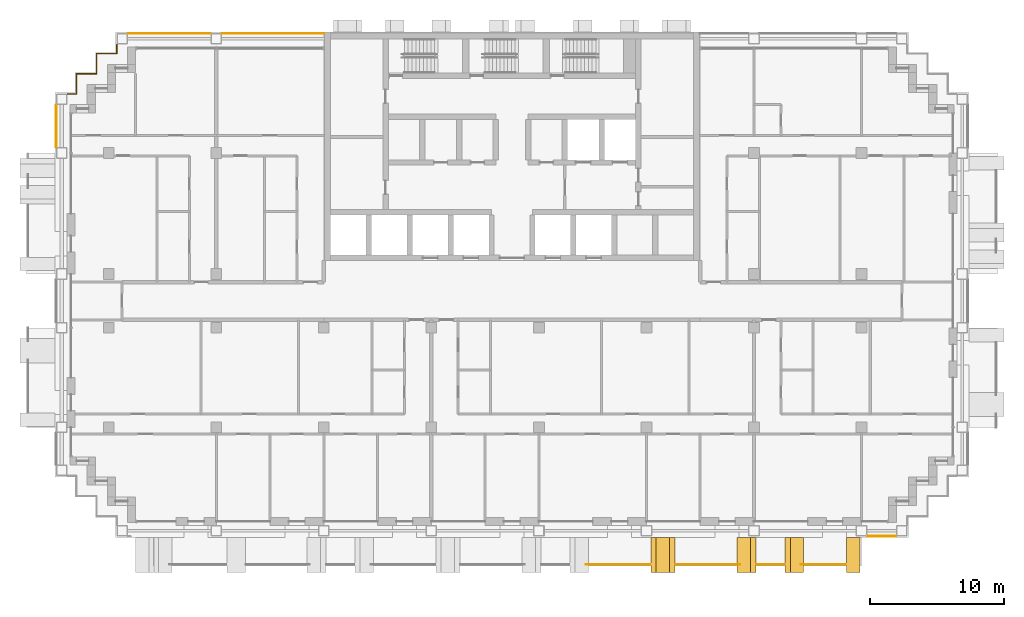
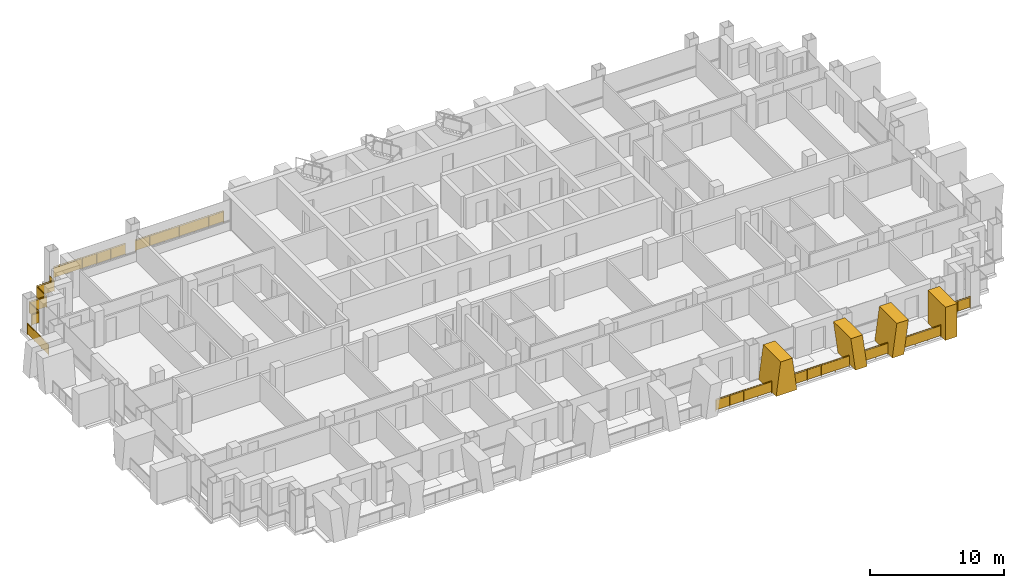
# One storey, part 15 of 17: 9 railings, 4 shading devices.
"""IFC4 building model written with IfcOpenShell, lengths in metres."""

from ifc_helpers import new_model, si_unit, direction, frame, origin, origin_2d, place, context, subcontext, project, spatial, polyline, rectangle, circle, outline, extrude, material, layer, layer_set, type_object, element, save


model = new_model("IFC4")

# Units and contexts
model_context = context("Model", 3, precision=1e-05, world=origin(), true_north=direction((0.0, 1.0)))
body_context = subcontext(model_context, "Body", "Model", "MODEL_VIEW")
ifc_project = project(units=[si_unit("LENGTHUNIT", "METRE"), si_unit("AREAUNIT", "SQUARE_METRE"), si_unit("VOLUMEUNIT", "CUBIC_METRE"), si_unit("PLANEANGLEUNIT", "RADIAN"), si_unit("MASSUNIT", "GRAM", prefix="KILO")], contexts=[model_context])

# Site, building, storey
site_placement = place(None, origin())
site = spatial("IfcSite", under=ifc_project, at=site_placement, CompositionType="ELEMENT")
building_placement = place(site_placement, origin())
building = spatial("IfcBuilding", under=site, at=building_placement, Name="Vidyagriha Tower", CompositionType="ELEMENT")
storey_placement = place(building_placement, frame((0.0, 0.0, 148.60009765625)))
storey = spatial("IfcBuildingStorey", under=building, at=storey_placement, Name="L39", CompositionType="ELEMENT", Elevation=148.60009765625)

# Railings
ifc_material_1 = material(Name="Steel ASTM A500 Grade C black painted", Category="steel")
railing_type_1 = type_object("IfcRailingType", Name="Balcony guard 1100", PredefinedType="BALUSTRADE", material=ifc_material_1)
for number, where, name in (
    (1, (5.50634765625, -19.60009765625, 0.0), "Balcony guard L39 R23.1-7"),
    (2, (12.169921875, -19.60009765625, 0.0), "Balcony guard L39 R23.1-8"),
):
    element("IfcRailing", number, at=place(storey_placement, frame(where)), inside=storey, type_object=railing_type_1, Name=name, PredefinedType="BALUSTRADE", context=body_context, shape_type="SweptSolid", body=[
        extrude(circle(Radius=0.02490234375, at=origin_2d()), frame((0.0, 0.0, 1.0751953125), z_axis=(1.0, 0.0, 0.0), x_axis=(0.0, 1.0, 0.0)), (0.0, 0.0, 1.0), 4.773681640625),
        extrude(circle(Radius=0.02001953125, at=origin_2d()), origin(), (0.0, 0.0, 1.0), 1.050048828125),
        extrude(circle(Radius=0.02001953125, at=origin_2d()), frame((1.193359375, 0.0, 0.0)), (0.0, 0.0, 1.0), 1.050048828125),
        extrude(circle(Radius=0.02001953125, at=origin_2d()), frame((2.38671875, 0.0, 0.0)), (0.0, 0.0, 1.0), 1.050048828125),
        extrude(circle(Radius=0.02001953125, at=origin_2d()), frame((3.580322265625, 0.0, 0.0)), (0.0, 0.0, 1.0), 1.050048828125),
        extrude(circle(Radius=0.02001953125, at=origin_2d()), frame((4.773681640625, 0.0, 0.0)), (0.0, 0.0, 1.0), 1.050048828125),
        extrude(rectangle(XDim=0.010009765625, YDim=0.900146484375, at=origin_2d()), frame((0.0, 0.0, 0.550048828125), z_axis=(1.0, 0.0, 0.0), x_axis=(0.0, 1.0, 0.0)), (0.0, 0.0, 1.0), 4.773681640625),
    ])
railing_1_placement = place(storey_placement, frame((18.195068359375, -19.60009765625, 0.0)))
element("IfcRailing", 3, at=railing_1_placement, inside=storey, type_object=railing_type_1, Name="Balcony guard L39 R23.1-9", PredefinedType="BALUSTRADE", context=body_context, shape_type="SweptSolid", body=[
    extrude(circle(Radius=0.02490234375, at=origin_2d()), frame((0.0, 0.0, 1.0751953125), z_axis=(1.0, 0.0, 0.0), x_axis=(0.0, 1.0, 0.0)), (0.0, 0.0, 1.0), 2.059814453125),
    extrude(circle(Radius=0.02001953125, at=origin_2d()), origin(), (0.0, 0.0, 1.0), 1.050048828125),
    extrude(circle(Radius=0.02001953125, at=origin_2d()), frame((1.02978515625, 0.0, 0.0)), (0.0, 0.0, 1.0), 1.050048828125),
    extrude(circle(Radius=0.02001953125, at=origin_2d()), frame((2.059814453125, 0.0, 0.0)), (0.0, 0.0, 1.0), 1.050048828125),
    extrude(rectangle(XDim=0.010009765625, YDim=0.900146484375, at=origin_2d()), frame((0.0, 0.0, 0.550048828125), z_axis=(1.0, 0.0, 0.0), x_axis=(0.0, 1.0, 0.0)), (0.0, 0.0, 1.0), 2.059814453125),
])
railing_2_placement = place(storey_placement, frame((21.50634765625, -19.60009765625, 0.0)))
element("IfcRailing", 4, at=railing_2_placement, inside=storey, type_object=railing_type_1, Name="Balcony guard L39 R23.1-10", PredefinedType="BALUSTRADE", context=body_context, shape_type="SweptSolid", body=[
    extrude(circle(Radius=0.02490234375, at=origin_2d()), frame((0.0, 0.0, 1.0751953125), z_axis=(1.0, 0.0, 0.0), x_axis=(0.0, 1.0, 0.0)), (0.0, 0.0, 1.0), 3.318603515625),
    extrude(circle(Radius=0.02001953125, at=origin_2d()), origin(), (0.0, 0.0, 1.0), 1.050048828125),
    extrude(circle(Radius=0.02001953125, at=origin_2d()), frame((1.106201171875, 0.0, 0.0)), (0.0, 0.0, 1.0), 1.050048828125),
    extrude(circle(Radius=0.02001953125, at=origin_2d()), frame((2.21240234375, 0.0, 0.0)), (0.0, 0.0, 1.0), 1.050048828125),
    extrude(circle(Radius=0.02001953125, at=origin_2d()), frame((3.318603515625, 0.0, 0.0)), (0.0, 0.0, 1.0), 1.050048828125),
    extrude(rectangle(XDim=0.010009765625, YDim=0.900146484375, at=origin_2d()), frame((0.0, 0.0, 0.550048828125), z_axis=(1.0, 0.0, 0.0), x_axis=(0.0, 1.0, 0.0)), (0.0, 0.0, 1.0), 3.318603515625),
])

# Shading devices
ifc_material_2 = material(Name="Precast concrete C40/50 with buff brick facing", Category="concrete")
ifc_layer_1 = layer(ifc_material_2, 1.0)
ifc_layer_set_1 = layer_set([ifc_layer_1], Name="Precast concrete C40/50 with buff brick facing")
shading_device_type_1 = type_object("IfcShadingDeviceType", Name="Brick-faced blade fin arm leaning 8 degrees", PredefinedType="USERDEFINED", material=ifc_layer_set_1)
shading_device_1_placement = place(storey_placement, frame((20.304931640625, -18.89990234375, 0.0)))
element("IfcShadingDevice", 5, at=shading_device_1_placement, inside=storey, type_object=shading_device_type_1, Name="Leaning blade fin L39 R23.4600a", ObjectType="BLADE FIN", PredefinedType="USERDEFINED", context=body_context, shape_type="SweptSolid", body=[
    extrude(outline(polyline([(0.0, 0.0), (1.0, 0.0), (1.39501953125, 3.0), (0.39501953125, 3.0), (0.0, 0.0)])), frame((0.0, 1.300048828125, 0.0), z_axis=(0.0, -1.0, 0.0), x_axis=(1.0, 0.0, 0.0)), (0.0, 0.0, 1.0), 2.60009765625),
])
shading_device_2_placement = place(storey_placement, frame((16.75, -18.89990234375, 0.0)))
element("IfcShadingDevice", 6, at=shading_device_2_placement, inside=storey, type_object=shading_device_type_1, Name="Leaning blade fin L39 R23.4600b", ObjectType="BLADE FIN", PredefinedType="USERDEFINED", context=body_context, shape_type="SweptSolid", body=[
    extrude(outline(polyline([(0.39501953125, 0.0), (1.39501953125, 0.0), (1.0, 3.0), (0.0, 3.0), (0.39501953125, 0.0)])), frame((0.0, 1.300048828125, 0.0), z_axis=(0.0, -1.0, 0.0), x_axis=(1.0, 0.0, 0.0)), (0.0, 0.0, 1.0), 2.60009765625),
])
ifc_material_3 = material(Name="Precast concrete C40/50 with buff brick facing", Category="concrete")
ifc_layer_2 = layer(ifc_material_3, 1.0)
ifc_layer_set_2 = layer_set([ifc_layer_2], Name="Precast concrete C40/50 with buff brick facing")
shading_device_type_2 = type_object("IfcShadingDeviceType", Name="Brick-faced blade fin forking 8 degrees", PredefinedType="USERDEFINED", material=ifc_layer_set_2)
shading_device_3_placement = place(storey_placement, frame((10.330078125, -18.89990234375, 0.0)))
element("IfcShadingDevice", 7, at=shading_device_3_placement, inside=storey, type_object=shading_device_type_2, Name="Forked blade fin L39 R23.3800a", ObjectType="BLADE FIN", PredefinedType="USERDEFINED", context=body_context, shape_type="SweptSolid", body=[
    extrude(outline(polyline([(0.0, 0.0), (1.7900390625, 0.0), (1.39501953125, 3.0), (0.39501953125, 3.0), (0.0, 0.0)])), frame((0.0, 1.300048828125, 0.0), z_axis=(0.0, -1.0, 0.0), x_axis=(1.0, 0.0, 0.0)), (0.0, 0.0, 1.0), 2.60009765625),
])
ifc_material_4 = material(Name="Precast concrete C40/50 with buff brick facing", Category="concrete")
ifc_layer_3 = layer(ifc_material_4, 1.0)
ifc_layer_set_3 = layer_set([ifc_layer_3], Name="Precast concrete C40/50 with buff brick facing")
shading_device_type_3 = type_object("IfcShadingDeviceType", Name="Brick-faced blade fin stem 1000", PredefinedType="USERDEFINED", material=ifc_layer_set_3)
shading_device_4_placement = place(storey_placement, frame((24.875, -18.89990234375, 0.0)))
element("IfcShadingDevice", 8, at=shading_device_4_placement, inside=storey, type_object=shading_device_type_3, Name="Stem blade fin L39 R23.5400a", ObjectType="BLADE FIN", PredefinedType="USERDEFINED", context=body_context, shape_type="SweptSolid", body=[
    extrude(outline(polyline([(0.0, 0.0), (1.0, 0.0), (1.0, 3.0), (0.0, 3.0), (0.0, 0.0)])), frame((0.0, 1.300048828125, 0.0), z_axis=(0.0, -1.0, 0.0), x_axis=(1.0, 0.0, 0.0)), (0.0, 0.0, 1.0), 2.60009765625),
])

# Railings
ifc_material_5 = material(Name="Steel ASTM A500 Grade C black painted", Category="steel")
railing_type_2 = type_object("IfcRailingType", Name="Gallery guard 1100", PredefinedType="GUARDRAIL", material=ifc_material_5)
railing_3_placement = place(storey_placement, frame((-33.89990234375, 11.429931640625, 0.0)))
element("IfcRailing", 9, at=railing_3_placement, inside=storey, type_object=railing_type_2, Name="Gallery guard L39 3", PredefinedType="GUARDRAIL", context=body_context, shape_type="SweptSolid", body=[
    extrude(circle(Radius=0.02490234375, at=origin_2d()), frame((0.0, 0.0, 1.0751953125), z_axis=(0.0, 1.0, 0.0), x_axis=(-1.0, 0.0, 0.0)), (0.0, 0.0, 1.0), 3.14013671875),
    extrude(circle(Radius=0.02001953125, at=origin_2d()), origin(), (0.0, 0.0, 1.0), 1.050048828125),
    extrude(circle(Radius=0.02001953125, at=origin_2d()), frame((0.0, 1.046630859375, 0.0)), (0.0, 0.0, 1.0), 1.050048828125),
    extrude(circle(Radius=0.02001953125, at=origin_2d()), frame((0.0, 2.093505859375, 0.0)), (0.0, 0.0, 1.0), 1.050048828125),
    extrude(circle(Radius=0.02001953125, at=origin_2d()), frame((0.0, 3.14013671875, 0.0)), (0.0, 0.0, 1.0), 1.050048828125),
    extrude(rectangle(XDim=0.010009765625, YDim=0.900146484375, at=origin_2d()), frame((0.0, 0.0, 0.550048828125), z_axis=(0.0, 1.0, 0.0), x_axis=(-1.0, 0.0, 0.0)), (0.0, 0.0, 1.0), 3.14013671875),
])
railing_4_placement = place(storey_placement, frame((-33.070068359375, 15.39990234375, 0.0)))
element("IfcRailing", 10, at=railing_4_placement, inside=storey, type_object=railing_type_2, Name="Gallery guard L39 5", PredefinedType="GUARDRAIL", context=body_context, shape_type="SweptSolid", body=[
    extrude(circle(Radius=0.02490234375, at=origin_2d()), frame((0.0, 0.0, 1.0751953125), z_axis=(1.0, 0.0, 0.0), x_axis=(0.0, 1.0, 0.0)), (0.0, 0.0, 1.0), 0.670166015625),
    extrude(circle(Radius=0.02490234375, at=origin_2d()), frame((0.670166015625, 0.0, 1.0751953125), z_axis=(0.0, 1.0, 0.0), x_axis=(-1.0, 0.0, 0.0)), (0.0, 0.0, 1.0), 1.5),
    extrude(circle(Radius=0.02490234375, at=origin_2d()), frame((0.670166015625, 1.5, 1.0751953125), z_axis=(1.0, 0.0, 0.0), x_axis=(0.0, 1.0, 0.0)), (0.0, 0.0, 1.0), 1.5),
    extrude(circle(Radius=0.02490234375, at=origin_2d()), frame((2.170166015625, 1.5, 1.0751953125), z_axis=(0.0, 1.0, 0.0), x_axis=(-1.0, 0.0, 0.0)), (0.0, 0.0, 1.0), 1.5),
    extrude(circle(Radius=0.02490234375, at=origin_2d()), frame((2.170166015625, 3.0, 1.0751953125), z_axis=(1.0, 0.0, 0.0), x_axis=(0.0, 1.0, 0.0)), (0.0, 0.0, 1.0), 1.5),
    extrude(circle(Radius=0.02490234375, at=origin_2d()), frame((3.670166015625, 3.0, 1.0751953125), z_axis=(0.0, 1.0, 0.0), x_axis=(-1.0, 0.0, 0.0)), (0.0, 0.0, 1.0), 0.670166015625),
    extrude(circle(Radius=0.02001953125, at=origin_2d()), origin(), (0.0, 0.0, 1.0), 1.050048828125),
    extrude(circle(Radius=0.02001953125, at=origin_2d()), frame((0.670166015625, 0.0, 0.0)), (0.0, 0.0, 1.0), 1.050048828125),
    extrude(circle(Radius=0.02001953125, at=origin_2d()), frame((0.670166015625, 1.5, 0.0)), (0.0, 0.0, 1.0), 1.050048828125),
    extrude(circle(Radius=0.02001953125, at=origin_2d()), frame((2.170166015625, 1.5, 0.0)), (0.0, 0.0, 1.0), 1.050048828125),
    extrude(circle(Radius=0.02001953125, at=origin_2d()), frame((2.170166015625, 3.0, 0.0)), (0.0, 0.0, 1.0), 1.050048828125),
    extrude(circle(Radius=0.02001953125, at=origin_2d()), frame((3.670166015625, 3.0, 0.0)), (0.0, 0.0, 1.0), 1.050048828125),
    extrude(circle(Radius=0.02001953125, at=origin_2d()), frame((3.670166015625, 3.670166015625, 0.0)), (0.0, 0.0, 1.0), 1.050048828125),
    extrude(rectangle(XDim=0.010009765625, YDim=0.900146484375, at=origin_2d()), frame((0.0, 0.0, 0.550048828125), z_axis=(1.0, 0.0, 0.0), x_axis=(0.0, 1.0, 0.0)), (0.0, 0.0, 1.0), 0.670166015625),
    extrude(rectangle(XDim=0.010009765625, YDim=0.900146484375, at=origin_2d()), frame((0.670166015625, 0.0, 0.550048828125), z_axis=(0.0, 1.0, 0.0), x_axis=(-1.0, 0.0, 0.0)), (0.0, 0.0, 1.0), 1.5),
    extrude(rectangle(XDim=0.010009765625, YDim=0.900146484375, at=origin_2d()), frame((0.670166015625, 1.5, 0.550048828125), z_axis=(1.0, 0.0, 0.0), x_axis=(0.0, 1.0, 0.0)), (0.0, 0.0, 1.0), 1.5),
    extrude(rectangle(XDim=0.010009765625, YDim=0.900146484375, at=origin_2d()), frame((2.170166015625, 1.5, 0.550048828125), z_axis=(0.0, 1.0, 0.0), x_axis=(-1.0, 0.0, 0.0)), (0.0, 0.0, 1.0), 1.5),
    extrude(rectangle(XDim=0.010009765625, YDim=0.900146484375, at=origin_2d()), frame((2.170166015625, 3.0, 0.550048828125), z_axis=(1.0, 0.0, 0.0), x_axis=(0.0, 1.0, 0.0)), (0.0, 0.0, 1.0), 1.5),
    extrude(rectangle(XDim=0.010009765625, YDim=0.900146484375, at=origin_2d()), frame((3.670166015625, 3.0, 0.550048828125), z_axis=(0.0, 1.0, 0.0), x_axis=(-1.0, 0.0, 0.0)), (0.0, 0.0, 1.0), 0.670166015625),
])
railing_5_placement = place(storey_placement, frame((-28.570068359375, 19.89990234375, 0.0)))
element("IfcRailing", 11, at=railing_5_placement, inside=storey, type_object=railing_type_2, Name="Gallery guard L39 7", PredefinedType="GUARDRAIL", context=body_context, shape_type="SweptSolid", body=[
    extrude(circle(Radius=0.02490234375, at=origin_2d()), frame((0.0, 0.0, 1.0751953125), z_axis=(1.0, 0.0, 0.0), x_axis=(0.0, 1.0, 0.0)), (0.0, 0.0, 1.0), 6.14013671875),
    extrude(circle(Radius=0.02001953125, at=origin_2d()), origin(), (0.0, 0.0, 1.0), 1.050048828125),
    extrude(circle(Radius=0.02001953125, at=origin_2d()), frame((1.22802734375, 0.0, 0.0)), (0.0, 0.0, 1.0), 1.050048828125),
    extrude(circle(Radius=0.02001953125, at=origin_2d()), frame((2.4560546875, 0.0, 0.0)), (0.0, 0.0, 1.0), 1.050048828125),
    extrude(circle(Radius=0.02001953125, at=origin_2d()), frame((3.68408203125, 0.0, 0.0)), (0.0, 0.0, 1.0), 1.050048828125),
    extrude(circle(Radius=0.02001953125, at=origin_2d()), frame((4.912109375, 0.0, 0.0)), (0.0, 0.0, 1.0), 1.050048828125),
    extrude(circle(Radius=0.02001953125, at=origin_2d()), frame((6.14013671875, 0.0, 0.0)), (0.0, 0.0, 1.0), 1.050048828125),
    extrude(rectangle(XDim=0.010009765625, YDim=0.900146484375, at=origin_2d()), frame((0.0, 0.0, 0.550048828125), z_axis=(1.0, 0.0, 0.0), x_axis=(0.0, 1.0, 0.0)), (0.0, 0.0, 1.0), 6.14013671875),
])
railing_6_placement = place(storey_placement, frame((-21.570068359375, 19.89990234375, 0.0)))
element("IfcRailing", 12, at=railing_6_placement, inside=storey, type_object=railing_type_2, Name="Gallery guard L39 8", PredefinedType="GUARDRAIL", context=body_context, shape_type="SweptSolid", body=[
    extrude(circle(Radius=0.02490234375, at=origin_2d()), frame((0.0, 0.0, 1.0751953125), z_axis=(1.0, 0.0, 0.0), x_axis=(0.0, 1.0, 0.0)), (0.0, 0.0, 1.0), 7.590087890625),
    extrude(circle(Radius=0.02001953125, at=origin_2d()), origin(), (0.0, 0.0, 1.0), 1.050048828125),
    extrude(circle(Radius=0.02001953125, at=origin_2d()), frame((1.26513671875, 0.0, 0.0)), (0.0, 0.0, 1.0), 1.050048828125),
    extrude(circle(Radius=0.02001953125, at=origin_2d()), frame((2.530029296875, 0.0, 0.0)), (0.0, 0.0, 1.0), 1.050048828125),
    extrude(circle(Radius=0.02001953125, at=origin_2d()), frame((3.794921875, 0.0, 0.0)), (0.0, 0.0, 1.0), 1.050048828125),
    extrude(circle(Radius=0.02001953125, at=origin_2d()), frame((5.06005859375, 0.0, 0.0)), (0.0, 0.0, 1.0), 1.050048828125),
    extrude(circle(Radius=0.02001953125, at=origin_2d()), frame((6.3251953125, 0.0, 0.0)), (0.0, 0.0, 1.0), 1.050048828125),
    extrude(circle(Radius=0.02001953125, at=origin_2d()), frame((7.590087890625, 0.0, 0.0)), (0.0, 0.0, 1.0), 1.050048828125),
    extrude(rectangle(XDim=0.010009765625, YDim=0.900146484375, at=origin_2d()), frame((0.0, 0.0, 0.550048828125), z_axis=(1.0, 0.0, 0.0), x_axis=(0.0, 1.0, 0.0)), (0.0, 0.0, 1.0), 7.590087890625),
])
railing_7_placement = place(storey_placement, frame((28.570068359375, -17.5, 0.0)))
element("IfcRailing", 13, at=railing_7_placement, inside=storey, type_object=railing_type_2, Name="Gallery guard L39 11", PredefinedType="GUARDRAIL", context=body_context, shape_type="SweptSolid", body=[
    extrude(circle(Radius=0.02490234375, at=origin_2d()), frame((0.0, 0.0, 1.0751953125), z_axis=(-1.0, 0.0, 0.0), x_axis=(0.0, -1.0, 0.0)), (0.0, 0.0, 1.0), 2.14013671875),
    extrude(circle(Radius=0.02001953125, at=origin_2d()), origin(), (0.0, 0.0, 1.0), 1.050048828125),
    extrude(circle(Radius=0.02001953125, at=origin_2d()), frame((-1.070068359375, 0.0, 0.0)), (0.0, 0.0, 1.0), 1.050048828125),
    extrude(circle(Radius=0.02001953125, at=origin_2d()), frame((-2.14013671875, 0.0, 0.0)), (0.0, 0.0, 1.0), 1.050048828125),
    extrude(rectangle(XDim=0.010009765625, YDim=0.900146484375, at=origin_2d()), frame((0.0, 0.0, 0.550048828125), z_axis=(-1.0, 0.0, 0.0), x_axis=(0.0, -1.0, 0.0)), (0.0, 0.0, 1.0), 2.14013671875),
])

save(model, "model.ifc")
